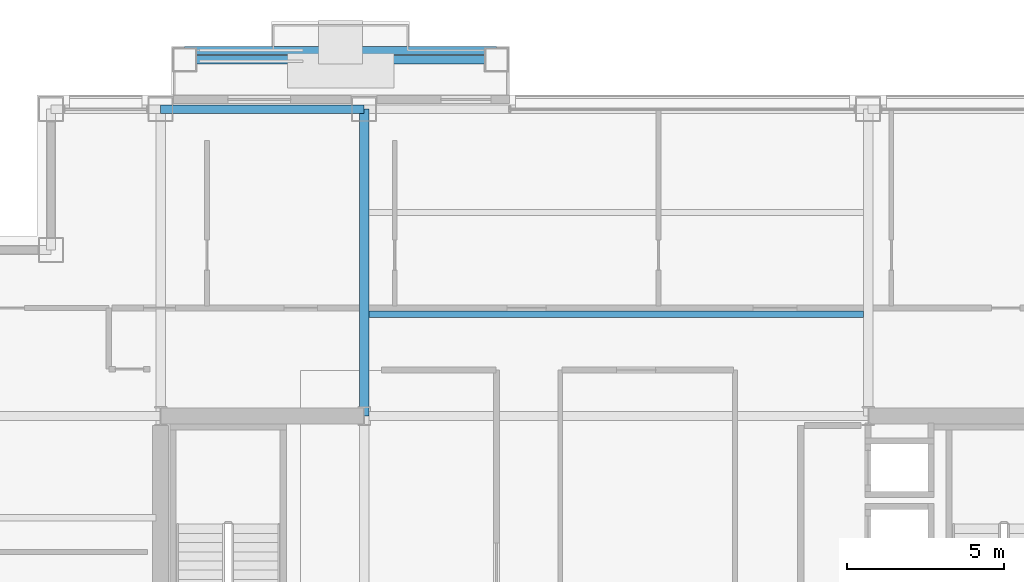
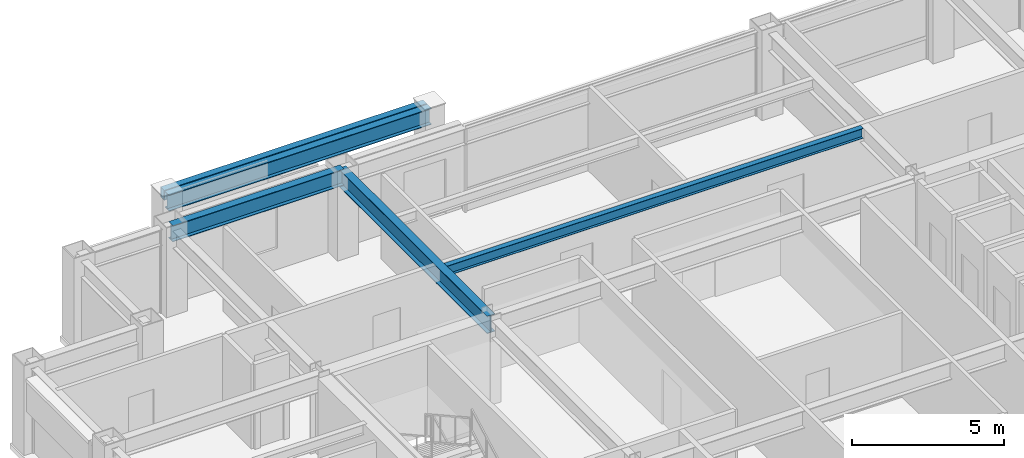
# One storey, part 18 of 29: 4 beams, 1 member.
"""IFC4 building model written with IfcOpenShell, lengths in metres."""

from ifc_helpers import new_model, si_unit, direction, frame, origin, origin_2d, place, context, subcontext, project, spatial, hollow_rectangle, i_section, extrude, material, material_profile, profile_set, type_object, element, save


model = new_model("IFC4")

# Units and contexts
model_context = context("Model", 3, precision=1e-05, world=origin(), true_north=direction((0.0, 1.0)))
body_context = subcontext(model_context, "Body", "Model", "MODEL_VIEW")
ifc_project = project(units=[si_unit("LENGTHUNIT", "METRE"), si_unit("AREAUNIT", "SQUARE_METRE"), si_unit("VOLUMEUNIT", "CUBIC_METRE"), si_unit("PLANEANGLEUNIT", "RADIAN"), si_unit("MASSUNIT", "GRAM", prefix="KILO")], contexts=[model_context])

# Site, building, storey
site_placement = place(None, origin())
site = spatial("IfcSite", under=ifc_project, at=site_placement, CompositionType="ELEMENT")
building_placement = place(site_placement, origin())
building = spatial("IfcBuilding", under=site, at=building_placement, Name="Brelmoor Portico Tower", CompositionType="ELEMENT")
storey_placement = place(building_placement, frame((0.0, 0.0, 138.60009765625)))
storey = spatial("IfcBuildingStorey", under=building, at=storey_placement, Name="L36", CompositionType="ELEMENT", Elevation=138.60009765625)

# Beams
ifc_material_1 = material(Name="Steel Q355B", Category="steel")
ifc_material_profile_1 = material_profile(ifc_material_1, i_section(OverallWidth=0.199951171875, OverallDepth=0.39990234375, WebThickness=0.008056640625, FlangeThickness=0.012939453125, at=origin_2d()), Name="HN 400x200x8x13")
ifc_profile_set_1 = profile_set([ifc_material_profile_1], Name="Steel Q355B")
beam_type_1 = type_object("IfcBeamType", Name="BM-JS-400", PredefinedType="JOIST", material=ifc_profile_set_1)
beam_1_placement = place(storey_placement, frame((-7.89990234375, 13.0, 3.199951171875), z_axis=(1.0, 0.0, 0.0), x_axis=(0.0, 1.0, 0.0)))
element("IfcBeam", 1, at=beam_1_placement, inside=storey, type_object=beam_type_1, Name="L36 Secondary Composite Joist JS-C03", PredefinedType="JOIST", context=body_context, shape_type="SweptSolid", body=[
    extrude(i_section(OverallWidth=0.199951171875, OverallDepth=0.39990234375, WebThickness=0.008056640625, FlangeThickness=0.012939453125, at=origin_2d()), origin(), (0.0, 0.0, 1.0), 15.7998046875),
])
ifc_material_profile_2 = material_profile(ifc_material_1, i_section(OverallWidth=0.300048828125, OverallDepth=0.699951171875, WebThickness=0.012939453125, FlangeThickness=0.02392578125, at=origin_2d()), Name="HN 700x300x13x24")
ifc_profile_set_2 = profile_set([ifc_material_profile_2], Name="Steel Q355B")
beam_type_2 = type_object("IfcBeamType", Name="BM-PG-700", PredefinedType="BEAM", material=ifc_profile_set_2)
beam_2_placement = place(storey_placement, frame((-8.050048828125, 9.75, 3.0498046875), z_axis=(0.0, 1.0, 0.0), x_axis=(-1.0, 0.0, 0.0)))
element("IfcBeam", 2, at=beam_2_placement, inside=storey, type_object=beam_type_2, Name="L36 Primary Floor Girder PG-07", PredefinedType="BEAM", context=body_context, shape_type="SweptSolid", body=[
    extrude(i_section(OverallWidth=0.300048828125, OverallDepth=0.699951171875, WebThickness=0.012939453125, FlangeThickness=0.02392578125, at=origin_2d()), origin(), (0.0, 0.0, 1.0), 9.800048828125),
])
ifc_material_profile_3 = material_profile(ifc_material_1, i_section(OverallWidth=0.280029296875, OverallDepth=0.64990234375, WebThickness=0.012939453125, FlangeThickness=0.02197265625, at=origin_2d()), Name="HN 650x280x13x22")
ifc_profile_set_3 = profile_set([ifc_material_profile_3], Name="Steel Q355B")
beam_type_3 = type_object("IfcBeamType", Name="BM-SP-650", PredefinedType="SPANDREL", material=ifc_profile_set_3)
beam_3_placement = place(storey_placement, frame((-14.550048828125, 19.550048828125, 3.074951171875), z_axis=(1.0, 0.0, 0.0), x_axis=(0.0, 1.0, 0.0)))
element("IfcBeam", 3, at=beam_3_placement, inside=storey, type_object=beam_type_3, Name="L36 Perimeter Spandrel Beam SP-11", PredefinedType="SPANDREL", context=body_context, shape_type="SweptSolid", body=[
    extrude(i_section(OverallWidth=0.280029296875, OverallDepth=0.64990234375, WebThickness=0.012939453125, FlangeThickness=0.02197265625, at=origin_2d()), origin(), (0.0, 0.0, 1.0), 6.5),
])
beam_4_placement = place(storey_placement, frame((-13.780029296875, 21.1298828125, 3.074951171875), z_axis=(1.0, 0.0, 0.0), x_axis=(0.0, 1.0, 0.0)))
element("IfcBeam", 4, at=beam_4_placement, inside=storey, type_object=beam_type_3, Name="L36 Picture-Frame Perimeter Lintel Beam N1", PredefinedType="SPANDREL", context=body_context, shape_type="SweptSolid", body=[
    extrude(i_section(OverallWidth=0.280029296875, OverallDepth=0.64990234375, WebThickness=0.012939453125, FlangeThickness=0.02197265625, at=origin_2d()), origin(), (0.0, 0.0, 1.0), 9.9599609375),
])

# Member
ifc_material_2 = material(Name="Pale Champagne Fluoropolymer-Coated Steel Q355B", Category="steel")
ifc_material_profile_4 = material_profile(ifc_material_2, hollow_rectangle(XDim=0.25, YDim=0.39990234375, WallThickness=0.013916015625, at=origin_2d()), Name="RHS 250x400x14")
ifc_profile_set_4 = profile_set([ifc_material_profile_4], Name="Pale Champagne Fluoropolymer-Coated Steel Q355B")
member_type = type_object("IfcMemberType", Name="MB-PF-HEADER", PredefinedType="MEMBER", material=ifc_profile_set_4)
member_placement = place(storey_placement, frame((-13.780029296875, 21.429931640625, 3.199951171875), z_axis=(1.0, 0.0, 0.0), x_axis=(0.0, 1.0, 0.0)))
element("IfcMember", 5, at=member_placement, inside=storey, type_object=member_type, Name="L36 Picture-Frame Header N", PredefinedType="MEMBER", context=body_context, shape_type="SweptSolid", body=[
    extrude(hollow_rectangle(XDim=0.25, YDim=0.39990234375, WallThickness=0.013916015625, at=origin_2d()), origin(), (0.0, 0.0, 1.0), 9.9599609375),
])

save(model, "model.ifc")
